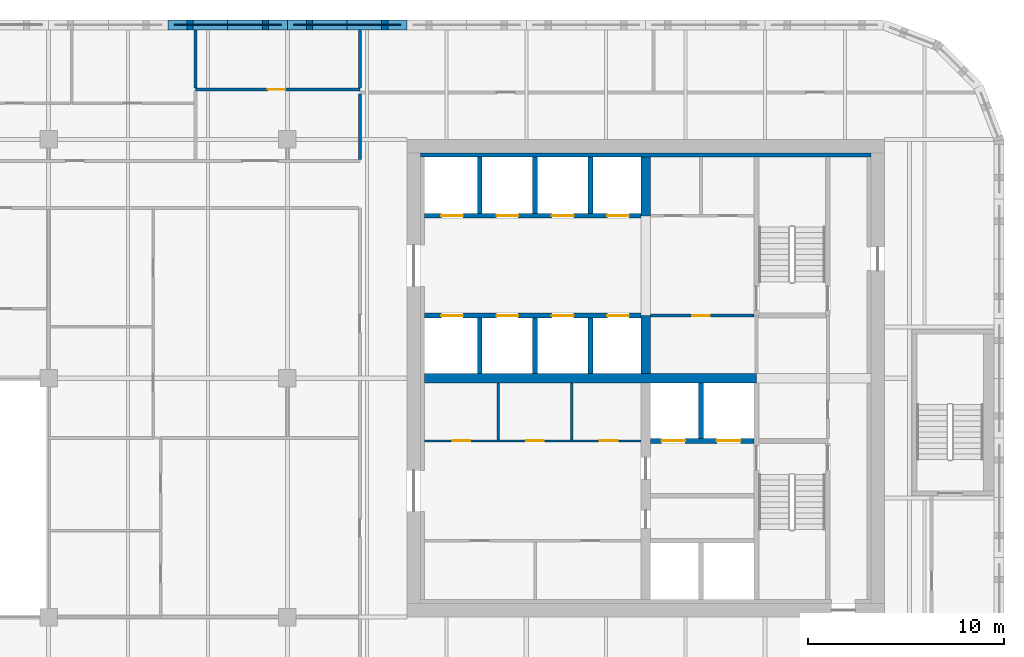
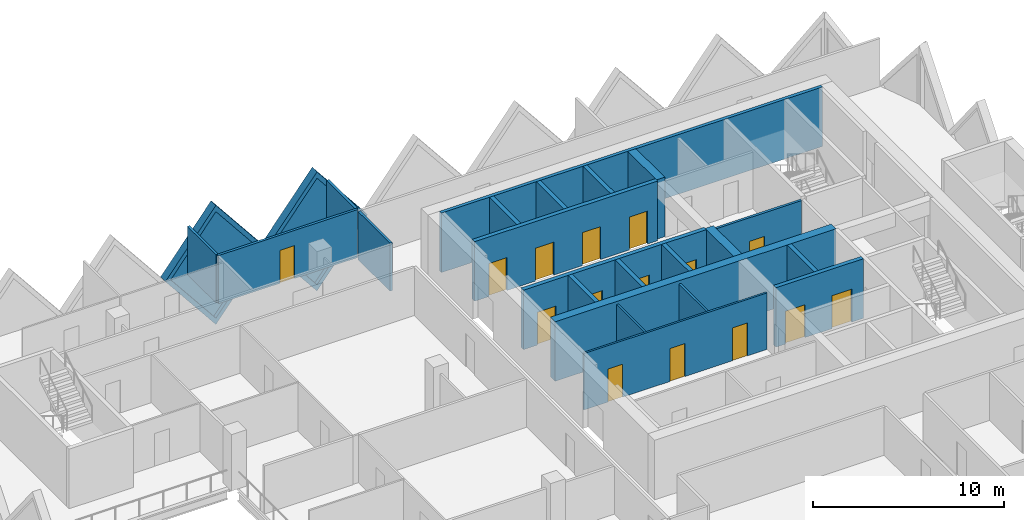
# One storey, part 8 of 12: 24 walls, 15 doors, 2 plates, 17 openings.
"""IFC4 building model written with IfcOpenShell, lengths in metres."""

from ifc_helpers import new_model, si_unit, direction, frame, frame_2d, origin, place, context, subcontext, project, spatial, polyline, rectangle, outline, extrude, faceted_brep, source, transform, mapped, material, layer, layer_set, type_object, element, fill, save


model = new_model("IFC4")

# Units and contexts
model_context = context("Model", 3, precision=1e-05, world=origin(), true_north=direction((0.0, 1.0)))
body_context = subcontext(model_context, "Body", "Model", "MODEL_VIEW")
ifc_project = project(units=[si_unit("LENGTHUNIT", "METRE"), si_unit("AREAUNIT", "SQUARE_METRE"), si_unit("VOLUMEUNIT", "CUBIC_METRE"), si_unit("PLANEANGLEUNIT", "RADIAN"), si_unit("MASSUNIT", "GRAM", prefix="KILO")], contexts=[model_context])

# Site, building, storey
site_placement = place(None, origin())
site = spatial("IfcSite", under=ifc_project, at=site_placement, CompositionType="ELEMENT")
building_placement = place(site_placement, origin())
building = spatial("IfcBuilding", under=site, at=building_placement, Name="Tessera Gate Towers", CompositionType="ELEMENT")
storey_placement = place(building_placement, frame((0.0, 0.0, 124.0)))
storey = spatial("IfcBuildingStorey", under=building, at=storey_placement, Name="L30", CompositionType="ELEMENT", Elevation=124.0)

# Wall, openings, doors
ifc_material_1 = material(Name="Concrete C40/50", Category="concrete")
ifc_layer_1 = layer(ifc_material_1, 0.25)
ifc_layer_set_1 = layer_set([ifc_layer_1], Name="CORE ENCLOSURE WALL 250")
wall_type_1 = type_object("IfcWallType", Name="CORE ENCLOSURE WALL 250", PredefinedType="SOLIDWALL", material=ifc_layer_set_1)
wall_1_placement = place(storey_placement, frame((31.39990234375, 39.800048828125, 0.0), z_axis=(0.0, 0.0, 1.0), x_axis=(1.0, 0.0, 0.0)))
wall_1 = element("IfcWall", 1, at=wall_1_placement, inside=storey, type_object=wall_type_1, Name="L30 shaft and stair enclosure wall", PredefinedType="SOLIDWALL", context=body_context, shape_type="SweptSolid", body=[
    extrude(rectangle(XDim=11.050048828125, YDim=0.25, at=frame_2d((5.52490234375, 0.0))), origin(), (0.0, 0.0, 1.0), 3.800048828125),
])
shared_shape_1 = source(origin(), body_context, "Body", "SweptSolid", [
    extrude(rectangle(XDim=1.10009765625, YDim=2.10009765625, at=frame_2d((0.550048828125, 1.050048828125))), frame((0.0, 0.135009765625, 0.0), z_axis=(0.0, -1.0, 0.0), x_axis=(1.0, 0.0, 0.0)), (0.0, 0.0, 1.0), 0.27001953125),
])
opening_1_placement = place(wall_1_placement, frame((0.862548828125, 0.0, 0.0)))
opening_1 = element("IfcOpeningElement", 2, at=opening_1_placement, cuts=wall_1, Name="Opening LD-HR1", PredefinedType="OPENING", context=body_context, shape_type="MappedRepresentation", body=[
    mapped(shared_shape_1, transform((0.0, 0.0, 0.0), scale=1.0)),
])
opening_2_placement = place(wall_1_placement, frame((3.6875, 0.0, 0.0)))
opening_2 = element("IfcOpeningElement", 3, at=opening_2_placement, cuts=wall_1, Name="Opening LD-HR2", PredefinedType="OPENING", context=body_context, shape_type="MappedRepresentation", body=[
    mapped(shared_shape_1, transform((0.0, 0.0, 0.0), scale=1.0)),
])
opening_3_placement = place(wall_1_placement, frame((6.512451171875, 0.0, 0.0)))
opening_3 = element("IfcOpeningElement", 4, at=opening_3_placement, cuts=wall_1, Name="Opening LD-HR3", PredefinedType="OPENING", context=body_context, shape_type="MappedRepresentation", body=[
    mapped(shared_shape_1, transform((0.0, 0.0, 0.0), scale=1.0)),
])
opening_4_placement = place(wall_1_placement, frame((9.33740234375, 0.0, 0.0)))
opening_4 = element("IfcOpeningElement", 5, at=opening_4_placement, cuts=wall_1, Name="Opening LD-HR4", PredefinedType="OPENING", context=body_context, shape_type="MappedRepresentation", body=[
    mapped(shared_shape_1, transform((0.0, 0.0, 0.0), scale=1.0)),
])
ifc_material_2 = material(Name="Stainless steel", Category="steel")
door_type_1 = type_object("IfcDoorType", Name="CORE DOOR LD 1100x2100", OperationType="DOUBLE_DOOR_SLIDING", PredefinedType="DOOR", material=ifc_material_2)
shared_shape_2 = source(origin(), body_context, "Body", "SweptSolid", [
    extrude(rectangle(XDim=1.10009765625, YDim=2.10009765625, at=frame_2d((0.550048828125, 1.050048828125))), frame((0.0, 0.02490234375, 0.0), z_axis=(0.0, -1.0, 0.0), x_axis=(1.0, 0.0, 0.0)), (0.0, 0.0, 1.0), 0.050048828125),
])
door_1_placement = place(opening_1_placement, origin())
door_1 = element("IfcDoor", 6, at=door_1_placement, inside=storey, type_object=door_type_1, Name="Landing door HR1 L30", OperationType="DOUBLE_DOOR_SLIDING", OverallHeight=2.10009765625, OverallWidth=1.10009765625, PredefinedType="DOOR", context=body_context, shape_type="MappedRepresentation", body=[
    mapped(shared_shape_2, transform((0.0, 0.0, 0.0), scale=1.0)),
])
fill(opening_1, door_1)
door_2_placement = place(opening_2_placement, origin())
door_2 = element("IfcDoor", 7, at=door_2_placement, inside=storey, type_object=door_type_1, Name="Landing door HR2 L30", OperationType="DOUBLE_DOOR_SLIDING", OverallHeight=2.10009765625, OverallWidth=1.10009765625, PredefinedType="DOOR", context=body_context, shape_type="MappedRepresentation", body=[
    mapped(shared_shape_2, transform((0.0, 0.0, 0.0), scale=1.0)),
])
fill(opening_2, door_2)
door_3_placement = place(opening_3_placement, origin())
door_3 = element("IfcDoor", 8, at=door_3_placement, inside=storey, type_object=door_type_1, Name="Landing door HR3 L30", OperationType="DOUBLE_DOOR_SLIDING", OverallHeight=2.10009765625, OverallWidth=1.10009765625, PredefinedType="DOOR", context=body_context, shape_type="MappedRepresentation", body=[
    mapped(shared_shape_2, transform((0.0, 0.0, 0.0), scale=1.0)),
])
fill(opening_3, door_3)
door_4_placement = place(opening_4_placement, origin())
door_4 = element("IfcDoor", 9, at=door_4_placement, inside=storey, type_object=door_type_1, Name="Landing door HR4 L30", OperationType="DOUBLE_DOOR_SLIDING", OverallHeight=2.10009765625, OverallWidth=1.10009765625, PredefinedType="DOOR", context=body_context, shape_type="MappedRepresentation", body=[
    mapped(shared_shape_2, transform((0.0, 0.0, 0.0), scale=1.0)),
])
fill(opening_4, door_4)

wall_2_placement = place(storey_placement, frame((42.449951171875, 44.89990234375, 0.0), z_axis=(0.0, 0.0, 1.0), x_axis=(-1.0, 0.0, 0.0)))
wall_2 = element("IfcWall", 10, at=wall_2_placement, inside=storey, type_object=wall_type_1, Name="L30 shaft and stair enclosure wall", PredefinedType="SOLIDWALL", context=body_context, shape_type="SweptSolid", body=[
    extrude(rectangle(XDim=11.050048828125, YDim=0.25, at=frame_2d((5.52490234375, 0.0))), origin(), (0.0, 0.0, 1.0), 3.800048828125),
])
opening_5_placement = place(wall_2_placement, frame((9.08740234375, 0.0, 0.0)))
opening_5 = element("IfcOpeningElement", 11, at=opening_5_placement, cuts=wall_2, Name="Opening LD-HR5", PredefinedType="OPENING", context=body_context, shape_type="MappedRepresentation", body=[
    mapped(shared_shape_1, transform((0.0, 0.0, 0.0), scale=1.0)),
])
opening_6_placement = place(wall_2_placement, frame((6.262451171875, 0.0, 0.0)))
opening_6 = element("IfcOpeningElement", 12, at=opening_6_placement, cuts=wall_2, Name="Opening LD-HR6", PredefinedType="OPENING", context=body_context, shape_type="MappedRepresentation", body=[
    mapped(shared_shape_1, transform((0.0, 0.0, 0.0), scale=1.0)),
])
opening_7_placement = place(wall_2_placement, frame((3.4375, 0.0, 0.0)))
opening_7 = element("IfcOpeningElement", 13, at=opening_7_placement, cuts=wall_2, Name="Opening LD-HR7", PredefinedType="OPENING", context=body_context, shape_type="MappedRepresentation", body=[
    mapped(shared_shape_1, transform((0.0, 0.0, 0.0), scale=1.0)),
])
opening_8_placement = place(wall_2_placement, frame((0.612548828125, 0.0, 0.0)))
opening_8 = element("IfcOpeningElement", 14, at=opening_8_placement, cuts=wall_2, Name="Opening LD-HR8", PredefinedType="OPENING", context=body_context, shape_type="MappedRepresentation", body=[
    mapped(shared_shape_1, transform((0.0, 0.0, 0.0), scale=1.0)),
])
door_5_placement = place(opening_5_placement, origin())
door_5 = element("IfcDoor", 15, at=door_5_placement, inside=storey, type_object=door_type_1, Name="Landing door HR5 L30", OperationType="DOUBLE_DOOR_SLIDING", OverallHeight=2.10009765625, OverallWidth=1.10009765625, PredefinedType="DOOR", context=body_context, shape_type="MappedRepresentation", body=[
    mapped(shared_shape_2, transform((0.0, 0.0, 0.0), scale=1.0)),
])
fill(opening_5, door_5)
door_6_placement = place(opening_6_placement, origin())
door_6 = element("IfcDoor", 16, at=door_6_placement, inside=storey, type_object=door_type_1, Name="Landing door HR6 L30", OperationType="DOUBLE_DOOR_SLIDING", OverallHeight=2.10009765625, OverallWidth=1.10009765625, PredefinedType="DOOR", context=body_context, shape_type="MappedRepresentation", body=[
    mapped(shared_shape_2, transform((0.0, 0.0, 0.0), scale=1.0)),
])
fill(opening_6, door_6)
door_7_placement = place(opening_7_placement, origin())
door_7 = element("IfcDoor", 17, at=door_7_placement, inside=storey, type_object=door_type_1, Name="Landing door HR7 L30", OperationType="DOUBLE_DOOR_SLIDING", OverallHeight=2.10009765625, OverallWidth=1.10009765625, PredefinedType="DOOR", context=body_context, shape_type="MappedRepresentation", body=[
    mapped(shared_shape_2, transform((0.0, 0.0, 0.0), scale=1.0)),
])
fill(opening_7, door_7)
door_8_placement = place(opening_8_placement, origin())
door_8 = element("IfcDoor", 18, at=door_8_placement, inside=storey, type_object=door_type_1, Name="Landing door HR8 L30", OperationType="DOUBLE_DOOR_SLIDING", OverallHeight=2.10009765625, OverallWidth=1.10009765625, PredefinedType="DOOR", context=body_context, shape_type="MappedRepresentation", body=[
    mapped(shared_shape_2, transform((0.0, 0.0, 0.0), scale=1.0)),
])
fill(opening_8, door_8)

wall_3_placement = place(storey_placement, frame((48.22509765625, 33.39990234375, 0.0), z_axis=(0.0, 0.0, 1.0), x_axis=(-1.0, 0.0, 0.0)))
wall_3 = element("IfcWall", 19, at=wall_3_placement, inside=storey, type_object=wall_type_1, Name="L30 shaft and stair enclosure wall", PredefinedType="SOLIDWALL", context=body_context, shape_type="SweptSolid", body=[
    extrude(rectangle(XDim=5.275146484375, YDim=0.25, at=frame_2d((2.6376953125, 0.0))), origin(), (0.0, 0.0, 1.0), 3.800048828125),
])
shared_shape_3 = source(origin(), body_context, "Body", "SweptSolid", [
    extrude(rectangle(XDim=1.199951171875, YDim=2.10009765625, at=frame_2d((0.60009765625, 1.050048828125))), frame((0.0, 0.135009765625, 0.0), z_axis=(0.0, -1.0, 0.0), x_axis=(1.0, 0.0, 0.0)), (0.0, 0.0, 1.0), 0.27001953125),
])
opening_9_placement = place(wall_3_placement, frame((3.512451171875, 0.0, 0.0)))
opening_9 = element("IfcOpeningElement", 20, at=opening_9_placement, cuts=wall_3, Name="Opening LD-FF1", PredefinedType="OPENING", context=body_context, shape_type="MappedRepresentation", body=[
    mapped(shared_shape_3, transform((0.0, 0.0, 0.0), scale=1.0)),
])
opening_10_placement = place(wall_3_placement, frame((0.6875, 0.0, 0.0)))
opening_10 = element("IfcOpeningElement", 21, at=opening_10_placement, cuts=wall_3, Name="Opening LD-FF2", PredefinedType="OPENING", context=body_context, shape_type="MappedRepresentation", body=[
    mapped(shared_shape_3, transform((0.0, 0.0, 0.0), scale=1.0)),
])
ifc_material_3 = material(Name="Stainless steel", Category="steel")
door_type_2 = type_object("IfcDoorType", Name="CORE DOOR LD1200 1200x2100", OperationType="DOUBLE_DOOR_SLIDING", PredefinedType="DOOR", material=ifc_material_3)
shared_shape_4 = source(origin(), body_context, "Body", "SweptSolid", [
    extrude(rectangle(XDim=1.199951171875, YDim=2.10009765625, at=frame_2d((0.60009765625, 1.050048828125))), frame((0.0, 0.02490234375, 0.0), z_axis=(0.0, -1.0, 0.0), x_axis=(1.0, 0.0, 0.0)), (0.0, 0.0, 1.0), 0.050048828125),
])
door_9_placement = place(opening_9_placement, origin())
door_9 = element("IfcDoor", 22, at=door_9_placement, inside=storey, type_object=door_type_2, Name="Landing door FF1 L30", OperationType="DOUBLE_DOOR_SLIDING", OverallHeight=2.10009765625, OverallWidth=1.199951171875, PredefinedType="DOOR", context=body_context, shape_type="MappedRepresentation", body=[
    mapped(shared_shape_4, transform((0.0, 0.0, 0.0), scale=1.0)),
])
fill(opening_9, door_9)
door_10_placement = place(opening_10_placement, origin())
door_10 = element("IfcDoor", 23, at=door_10_placement, inside=storey, type_object=door_type_2, Name="Landing door FF2 L30", OperationType="DOUBLE_DOOR_SLIDING", OverallHeight=2.10009765625, OverallWidth=1.199951171875, PredefinedType="DOOR", context=body_context, shape_type="MappedRepresentation", body=[
    mapped(shared_shape_4, transform((0.0, 0.0, 0.0), scale=1.0)),
])
fill(opening_10, door_10)

# Walls
for number, where, z_axis, x_axis, name in (
    (24, (34.22509765625, 36.85009765625, 0.0), (0.0, 0.0, 1.0), (0.0, 1.0, 0.0), "L30 shaft and stair enclosure wall"),
    (25, (37.050048828125, 36.85009765625, 0.0), (0.0, 0.0, 1.0), (0.0, 1.0, 0.0), "L30 shaft and stair enclosure wall"),
    (26, (39.875, 36.85009765625, 0.0), (0.0, 0.0, 1.0), (0.0, 1.0, 0.0), "L30 shaft and stair enclosure wall"),
):
    element("IfcWall", number, at=place(storey_placement, frame(where, z_axis=z_axis, x_axis=x_axis)), inside=storey, type_object=wall_type_1, Name=name, PredefinedType="SOLIDWALL", context=body_context, shape_type="SweptSolid", body=[
        extrude(rectangle(XDim=2.824951171875, YDim=0.25, at=frame_2d((1.41259765625, 0.0))), origin(), (0.0, 0.0, 1.0), 3.800048828125),
    ])
wall_4_placement = place(storey_placement, frame((45.52490234375, 33.52490234375, 0.0), z_axis=(0.0, 0.0, 1.0), x_axis=(0.0, 1.0, 0.0)))
element("IfcWall", 27, at=wall_4_placement, inside=storey, type_object=wall_type_1, Name="L30 shaft and stair enclosure wall", PredefinedType="SOLIDWALL", context=body_context, shape_type="SweptSolid", body=[
    extrude(rectangle(XDim=2.8251953125, YDim=0.25, at=frame_2d((1.41259765625, 0.0))), origin(), (0.0, 0.0, 1.0), 3.800048828125),
])
for number, where, z_axis, x_axis, name in (
    (28, (34.22509765625, 45.02490234375, 0.0), (0.0, 0.0, 1.0), (0.0, 1.0, 0.0), "L30 shaft and stair enclosure wall"),
    (29, (37.050048828125, 45.02490234375, 0.0), (0.0, 0.0, 1.0), (0.0, 1.0, 0.0), "L30 shaft and stair enclosure wall"),
    (30, (39.875, 45.02490234375, 0.0), (0.0, 0.0, 1.0), (0.0, 1.0, 0.0), "L30 shaft and stair enclosure wall"),
):
    element("IfcWall", number, at=place(storey_placement, frame(where, z_axis=z_axis, x_axis=x_axis)), inside=storey, type_object=wall_type_1, Name=name, PredefinedType="SOLIDWALL", context=body_context, shape_type="SweptSolid", body=[
        extrude(rectangle(XDim=2.875, YDim=0.25, at=frame_2d((1.4375, 0.0))), origin(), (0.0, 0.0, 1.0), 3.800048828125),
    ])

# Wall, openings, doors
ifc_material_4 = material(Name="Gypsum board on steel studs", Category="steel")
ifc_layer_2 = layer(ifc_material_4, 0.1201171875)
ifc_layer_set_2 = layer_set([ifc_layer_2], Name="CORE PARTITION 120")
wall_type_2 = type_object("IfcWallType", Name="CORE PARTITION 120", PredefinedType="PARTITIONING", material=ifc_layer_set_2)
wall_5_placement = place(storey_placement, frame((31.39990234375, 33.39990234375, 0.0), z_axis=(0.0, 0.0, 1.0), x_axis=(1.0, 0.0, 0.0)))
wall_5 = element("IfcWall", 31, at=wall_5_placement, inside=storey, type_object=wall_type_2, Name="L30 core partition", PredefinedType="PARTITIONING", context=body_context, shape_type="SweptSolid", body=[
    extrude(rectangle(XDim=11.050048828125, YDim=0.1201171875, at=frame_2d((5.52490234375, 0.0))), origin(), (0.0, 0.0, 1.0), 3.60009765625),
])
shared_shape_5 = source(origin(), body_context, "Body", "SweptSolid", [
    extrude(rectangle(XDim=0.89990234375, YDim=2.10009765625, at=frame_2d((0.449951171875, 1.050048828125))), frame((0.0, 0.070068359375, 0.0), z_axis=(0.0, -1.0, 0.0), x_axis=(1.0, 0.0, 0.0)), (0.0, 0.0, 1.0), 0.14013671875),
])
opening_11_placement = place(wall_5_placement, frame((1.4375, 0.0, 0.0)))
opening_11 = element("IfcOpeningElement", 32, at=opening_11_placement, cuts=wall_5, Name="Opening RD-T1-21-09", PredefinedType="OPENING", context=body_context, shape_type="MappedRepresentation", body=[
    mapped(shared_shape_5, transform((0.0, 0.0, 0.0), scale=1.0)),
])
opening_12_placement = place(wall_5_placement, frame((5.199951171875, 0.0, 0.0)))
opening_12 = element("IfcOpeningElement", 33, at=opening_12_placement, cuts=wall_5, Name="Opening RD-T1-21-10", PredefinedType="OPENING", context=body_context, shape_type="MappedRepresentation", body=[
    mapped(shared_shape_5, transform((0.0, 0.0, 0.0), scale=1.0)),
])
opening_13_placement = place(wall_5_placement, frame((8.96240234375, 0.0, 0.0)))
opening_13 = element("IfcOpeningElement", 34, at=opening_13_placement, cuts=wall_5, Name="Opening RD-T1-21-11", PredefinedType="OPENING", context=body_context, shape_type="MappedRepresentation", body=[
    mapped(shared_shape_5, transform((0.0, 0.0, 0.0), scale=1.0)),
])
ifc_material_5 = material(Name="Hollow steel fire door", Category="steel")
door_type_3 = type_object("IfcDoorType", Name="CORE DOOR RD 900x2100", OperationType="NOTDEFINED", PredefinedType="DOOR", material=ifc_material_5)
shared_shape_6 = source(origin(), body_context, "Body", "SweptSolid", [
    extrude(rectangle(XDim=0.89990234375, YDim=2.10009765625, at=frame_2d((0.449951171875, 1.050048828125))), frame((0.0, 0.02490234375, 0.0), z_axis=(0.0, -1.0, 0.0), x_axis=(1.0, 0.0, 0.0)), (0.0, 0.0, 1.0), 0.050048828125),
])
door_11_placement = place(opening_11_placement, origin())
door_11 = element("IfcDoor", 35, at=door_11_placement, inside=storey, type_object=door_type_3, Name="Core room door", OperationType="SINGLE_SWING_LEFT", OverallHeight=2.10009765625, OverallWidth=0.89990234375, PredefinedType="DOOR", context=body_context, shape_type="MappedRepresentation", body=[
    mapped(shared_shape_6, transform((0.0, 0.0, 0.0), scale=1.0)),
])
fill(opening_11, door_11)
door_12_placement = place(opening_12_placement, origin())
door_12 = element("IfcDoor", 36, at=door_12_placement, inside=storey, type_object=door_type_3, Name="Core room door", OperationType="SINGLE_SWING_RIGHT", OverallHeight=2.10009765625, OverallWidth=0.89990234375, PredefinedType="DOOR", context=body_context, shape_type="MappedRepresentation", body=[
    mapped(shared_shape_6, transform((0.0, 0.0, 0.0), scale=1.0)),
])
fill(opening_12, door_12)
door_13_placement = place(opening_13_placement, origin())
door_13 = element("IfcDoor", 37, at=door_13_placement, inside=storey, type_object=door_type_3, Name="Core room door", OperationType="SINGLE_SWING_RIGHT", OverallHeight=2.10009765625, OverallWidth=0.89990234375, PredefinedType="DOOR", context=body_context, shape_type="MappedRepresentation", body=[
    mapped(shared_shape_6, transform((0.0, 0.0, 0.0), scale=1.0)),
])
fill(opening_13, door_13)

# Walls
for number, where, z_axis, x_axis, name in (
    (38, (35.175048828125, 33.4599609375, 0.0), (0.0, 0.0, 1.0), (0.0, 1.0, 0.0), "L30 core partition"),
    (39, (38.925048828125, 33.4599609375, 0.0), (0.0, 0.0, 1.0), (0.0, 1.0, 0.0), "L30 core partition"),
):
    element("IfcWall", number, at=place(storey_placement, frame(where, z_axis=z_axis, x_axis=x_axis)), inside=storey, type_object=wall_type_2, Name=name, PredefinedType="PARTITIONING", context=body_context, shape_type="SweptSolid", body=[
        extrude(rectangle(XDim=2.89013671875, YDim=0.1201171875, at=frame_2d((1.445068359375, 0.0))), origin(), (0.0, 0.0, 1.0), 3.60009765625),
    ])
ifc_material_6 = material(Name="Concrete C60/75", Category="concrete")
ifc_layer_3 = layer(ifc_material_6, 0.5)
ifc_layer_set_3 = layer_set([ifc_layer_3], Name="CORE SPINE WALL 500 C60/75")
wall_type_3 = type_object("IfcWallType", Name="CORE SPINE WALL 500 C60/75", PredefinedType="SHEAR", material=ifc_layer_set_3)
wall_6_placement = place(storey_placement, frame((31.39990234375, 36.60009765625, 0.0), z_axis=(0.0, 0.0, 1.0), x_axis=(1.0, 0.0, 0.0)))
element("IfcWall", 40, at=wall_6_placement, inside=storey, type_object=wall_type_3, Name="Core wall spine L30", PredefinedType="SHEAR", context=body_context, shape_type="SweptSolid", body=[
    extrude(rectangle(XDim=16.9501953125, YDim=0.5, at=frame_2d((8.47509765625, 0.0))), origin(), (0.0, 0.0, 1.0), 3.800048828125),
])
wall_7_placement = place(storey_placement, frame((42.699951171875, 36.85009765625, 0.0), z_axis=(0.0, 0.0, 1.0), x_axis=(0.0, 1.0, 0.0)))
element("IfcWall", 41, at=wall_7_placement, inside=storey, type_object=wall_type_3, Name="Core wall spine L30", PredefinedType="SHEAR", context=body_context, shape_type="SweptSolid", body=[
    extrude(rectangle(XDim=2.949951171875, YDim=0.5, at=frame_2d((1.47509765625, 0.0))), origin(), (0.0, 0.0, 1.0), 3.800048828125),
])
wall_8_placement = place(storey_placement, frame((42.699951171875, 44.89990234375, 0.0), z_axis=(0.0, 0.0, 1.0), x_axis=(0.0, 1.0, 0.0)))
element("IfcWall", 42, at=wall_8_placement, inside=storey, type_object=wall_type_3, Name="Core wall spine L30", PredefinedType="SHEAR", context=body_context, shape_type="SweptSolid", body=[
    extrude(rectangle(XDim=3.0, YDim=0.5, at=frame_2d((1.5, 0.0))), origin(), (0.0, 0.0, 1.0), 3.800048828125),
])
ifc_material_7 = material(Name="Concrete C60/75", Category="concrete")
ifc_layer_4 = layer(ifc_material_7, 0.199951171875)
ifc_layer_set_4 = layer_set([ifc_layer_4], Name="CORE WALL THICKENING 200")
wall_type_4 = type_object("IfcWallType", Name="CORE WALL THICKENING 200", PredefinedType="SOLIDWALL", material=ifc_layer_set_4)
wall_9_placement = place(storey_placement, frame((31.199951171875, 48.0, 0.0), z_axis=(0.0, 0.0, 1.0), x_axis=(1.0, 0.0, 0.0)))
element("IfcWall", 43, at=wall_9_placement, inside=storey, type_object=wall_type_4, Name="Core wall thickening N L30", PredefinedType="SOLIDWALL", context=body_context, shape_type="SweptSolid", body=[
    extrude(rectangle(XDim=23.0, YDim=0.199951171875, at=frame_2d((11.5, 0.0))), origin(), (0.0, 0.0, 1.0), 3.800048828125),
])
ifc_material_8 = material(Name="Gypsum board on steel studs, mineral wool", Category="steel")
ifc_layer_5 = layer(ifc_material_8, 0.14990234375)
ifc_layer_set_5 = layer_set([ifc_layer_5], Name="CORRIDOR WALL 150")
wall_type_5 = type_object("IfcWallType", Name="CORRIDOR WALL 150", PredefinedType="PARTITIONING", material=ifc_layer_set_5)
wall_10_placement = place(storey_placement, frame((28.10009765625, 47.77587890625, 0.0), z_axis=(0.0, 0.0, 1.0), x_axis=(0.0, 1.0, 0.0)))
element("IfcWall", 44, at=wall_10_placement, inside=storey, type_object=wall_type_5, Name="T1-L30-PW-040", PredefinedType="PARTITIONING", context=body_context, shape_type="SweptSolid", body=[
    extrude(rectangle(XDim=3.34814453125, YDim=0.14990234375, at=frame_2d((1.674072265625, 0.0))), origin(), (0.0, 0.0, 1.0), 3.06689453125),
])

# Wall, opening, door
ifc_material_9 = material(Name="Gypsum board on steel studs", Category="steel")
ifc_layer_6 = layer(ifc_material_9, 0.14990234375)
ifc_layer_set_6 = layer_set([ifc_layer_6], Name="SERVICE ROOM WALL 150")
wall_type_6 = type_object("IfcWallType", Name="SERVICE ROOM WALL 150", PredefinedType="PARTITIONING", material=ifc_layer_set_6)
wall_11_placement = place(storey_placement, frame((48.22509765625, 39.800048828125, 0.0), z_axis=(0.0, 0.0, 1.0), x_axis=(-1.0, 0.0, 0.0)))
wall_11 = element("IfcWall", 45, at=wall_11_placement, inside=storey, type_object=wall_type_6, Name="L30 service room wall", PredefinedType="PARTITIONING", context=body_context, shape_type="SweptSolid", body=[
    extrude(rectangle(XDim=5.275146484375, YDim=0.14990234375, at=frame_2d((2.6376953125, 0.0))), origin(), (0.0, 0.0, 1.0), 3.60009765625),
])
shared_shape_7 = source(origin(), body_context, "Body", "SweptSolid", [
    extrude(rectangle(XDim=0.89990234375, YDim=2.10009765625, at=frame_2d((0.449951171875, 1.050048828125))), frame((0.0, 0.0849609375, 0.0), z_axis=(0.0, -1.0, 0.0), x_axis=(1.0, 0.0, 0.0)), (0.0, 0.0, 1.0), 0.169921875),
])
opening_14_placement = place(wall_11_placement, frame((2.25, 0.0, 0.0)))
opening_14 = element("IfcOpeningElement", 46, at=opening_14_placement, cuts=wall_11, Name="Opening RD-T1-21-13", PredefinedType="OPENING", context=body_context, shape_type="MappedRepresentation", body=[
    mapped(shared_shape_7, transform((0.0, 0.0, 0.0), scale=1.0)),
])
door_14_placement = place(opening_14_placement, origin())
door_14 = element("IfcDoor", 47, at=door_14_placement, inside=storey, type_object=door_type_3, Name="Core room door", OperationType="SINGLE_SWING_RIGHT", OverallHeight=2.10009765625, OverallWidth=0.89990234375, PredefinedType="DOOR", context=body_context, shape_type="MappedRepresentation", body=[
    mapped(shared_shape_6, transform((0.0, 0.0, 0.0), scale=1.0)),
])
fill(opening_14, door_14)

ifc_material_10 = material(Name="Gypsum board on steel studs, mineral wool", Category="steel")
ifc_layer_7 = layer(ifc_material_10, 0.14990234375)
ifc_layer_set_7 = layer_set([ifc_layer_7], Name="TENANCY WALL 150")
wall_type_7 = type_object("IfcWallType", Name="TENANCY WALL 150", PredefinedType="PARTITIONING", material=ifc_layer_set_7)
wall_12_placement = place(storey_placement, frame((19.699951171875, 51.35009765625, 0.0), z_axis=(0.0, 0.0, 1.0), x_axis=(1.0, 0.0, 0.0)))
wall_12 = element("IfcWall", 48, at=wall_12_placement, inside=storey, type_object=wall_type_7, Name="T1-L30-PW-048", PredefinedType="PARTITIONING", context=body_context, shape_type="SweptSolid", body=[
    extrude(rectangle(XDim=8.400146484375, YDim=0.14990234375, at=frame_2d((4.2001953125, 0.0))), origin(), (0.0, 0.0, 1.0), 3.06689453125),
])
opening_15_placement = place(wall_12_placement, frame((3.699951171875, 0.0, 0.0)))
opening_15 = element("IfcOpeningElement", 49, at=opening_15_placement, cuts=wall_12, Name="Opening D190-A11-05", PredefinedType="OPENING", context=body_context, shape_type="MappedRepresentation", body=[
    mapped(shared_shape_7, transform((0.0, 0.0, 0.0), scale=1.0)),
])
ifc_material_11 = material(Name="Timber door leaf in steel frame", Category="steel")
door_type_4 = type_object("IfcDoorType", Name="INTERNAL DOOR 900 NOT RATED", OperationType="NOTDEFINED", PredefinedType="DOOR", material=ifc_material_11)
door_15_placement = place(opening_15_placement, origin())
door_15 = element("IfcDoor", 50, at=door_15_placement, inside=storey, type_object=door_type_4, Name="T1-L30-PD-016", OperationType="SINGLE_SWING_LEFT", OverallHeight=2.10009765625, OverallWidth=0.89990234375, PredefinedType="DOOR", context=body_context, shape_type="MappedRepresentation", body=[
    mapped(shared_shape_6, transform((0.0, 0.0, 0.0), scale=1.0)),
])
fill(opening_15, door_15)

# Walls
for number, where, z_axis, x_axis, name in (
    (51, (19.699951171875, 51.426025390625, 0.0), (0.0, 0.0, 1.0), (0.0, 1.0, 0.0), "T1-L30-PW-049"),
    (52, (28.10009765625, 51.426025390625, 0.0), (0.0, 0.0, 1.0), (0.0, 1.0, 0.0), "T1-L30-PW-050"),
):
    element("IfcWall", number, at=place(storey_placement, frame(where, z_axis=z_axis, x_axis=x_axis)), inside=storey, type_object=wall_type_7, Name=name, PredefinedType="PARTITIONING", context=body_context, shape_type="SweptSolid", body=[
        extrude(rectangle(XDim=2.973876953125, YDim=0.14990234375, at=frame_2d((1.48681640625, 0.0))), origin(), (0.0, 0.0, 1.0), 3.06689453125),
    ])

# Wall, opening, plate
ifc_material_12 = material(Name="Precast concrete C60/75 white", Category="concrete")
ifc_layer_8 = layer(ifc_material_12, 0.5)
ifc_layer_set_8 = layer_set([ifc_layer_8], Name="TS1 tessera")
wall_type_8 = type_object("IfcWallType", Name="TS1 tessera", PredefinedType="SOLIDWALL", material=ifc_layer_set_8)
shared_shape_8 = source(origin(), body_context, "Body", "Brep", [
    faceted_brep([(3.050048828125, -0.25, 0.0), (6.099853515625, -0.25, 3.7998046875), (6.099853515625, -0.25, 3.80029296875), (3.050048828125, -0.25, 7.60009765625), (0.0, -0.25, 3.800048828125), (0.0, 0.25, 3.800048828125), (3.050048828125, 0.25, 7.60009765625), (6.099853515625, 0.25, 3.80029296875), (6.099853515625, 0.25, 3.7998046875), (3.050048828125, 0.25, 0.0)], [[[0, 1, 2, 3, 4]], [[5, 6, 7, 8, 9]], [[9, 8, 1, 0]], [[7, 6, 3, 2]], [[6, 5, 4, 3]], [[5, 9, 0, 4]], [[1, 8, 7, 2]]]),
])
wall_13_placement = place(storey_placement, frame((24.39990234375, 54.64990234375, -3.800048828125), z_axis=(0.0, 0.0, 1.0), x_axis=(-1.0, 0.0, 0.0)))
wall_13 = element("IfcWall", 53, at=wall_13_placement, inside=storey, type_object=wall_type_8, Name="Precast tessera T1 TS1-0498", PredefinedType="SOLIDWALL", context=body_context, shape_type="MappedRepresentation", body=[
    mapped(shared_shape_8, transform((0.0, 0.0, 0.0), scale=1.0)),
])
shared_shape_9 = source(origin(), body_context, "Body", "SweptSolid", [
    extrude(outline(polyline([(3.050048828125, 0.3994140625), (5.779541015625, 3.800048828125), (3.050048828125, 7.20068359375), (0.320556640625, 3.800048828125), (3.050048828125, 0.3994140625)])), frame((0.0, 0.260009765625, 0.0), z_axis=(0.0, -1.0, 0.0), x_axis=(1.0, 0.0, 0.0)), (0.0, 0.0, 1.0), 0.52001953125),
])
opening_16_placement = place(wall_13_placement, origin())
opening_16 = element("IfcOpeningElement", 54, at=opening_16_placement, cuts=wall_13, Name="Opening T1-PL2-1010", PredefinedType="OPENING", context=body_context, shape_type="MappedRepresentation", body=[
    mapped(shared_shape_9, transform((0.0, 0.0, 0.0), scale=1.0)),
])
ifc_material_13 = material(Name="Low-e laminated glass", Category="glass")
ifc_layer_9 = layer(ifc_material_13, 0.06005859375)
ifc_layer_set_9 = layer_set([ifc_layer_9], Name="PL2 rhombic pane")
plate_type = type_object("IfcPlateType", Name="PL2 rhombic pane", PredefinedType="SHEET", material=ifc_layer_set_9)
shared_shape_10 = source(origin(), body_context, "Body", "SweptSolid", [
    extrude(outline(polyline([(3.050048828125, 0.3994140625), (5.779541015625, 3.800048828125), (3.050048828125, 7.20068359375), (0.320556640625, 3.800048828125), (3.050048828125, 0.3994140625)])), frame((0.0, 0.030029296875, 0.0), z_axis=(0.0, -1.0, 0.0), x_axis=(1.0, 0.0, 0.0)), (0.0, 0.0, 1.0), 0.06005859375),
])
plate_1_placement = place(opening_16_placement, origin())
plate_1 = element("IfcPlate", 55, at=plate_1_placement, inside=storey, type_object=plate_type, Name="Glass pane T1 PL2-1010", PredefinedType="SHEET", context=body_context, shape_type="MappedRepresentation", body=[
    mapped(shared_shape_10, transform((0.0, 0.0, 0.0), scale=1.0)),
])
fill(opening_16, plate_1)

shared_shape_11 = source(origin(), body_context, "Body", "SweptSolid", [
    extrude(outline(polyline([(3.050048828125, 0.0), (6.10009765625, 3.800048828125), (3.050048828125, 7.60009765625), (0.0, 3.800048828125), (3.050048828125, 0.0)])), frame((0.0, 0.25, 0.0), z_axis=(0.0, -1.0, 0.0), x_axis=(1.0, 0.0, 0.0)), (0.0, 0.0, 1.0), 0.5),
])
wall_14_placement = place(storey_placement, frame((30.5, 54.64990234375, -3.800048828125), z_axis=(0.0, 0.0, 1.0), x_axis=(-1.0, 0.0, 0.0)))
wall_14 = element("IfcWall", 56, at=wall_14_placement, inside=storey, type_object=wall_type_8, Name="Precast tessera T1 TS1-0497", PredefinedType="SOLIDWALL", context=body_context, shape_type="MappedRepresentation", body=[
    mapped(shared_shape_11, transform((0.0, 0.0, 0.0), scale=1.0)),
])
opening_17_placement = place(wall_14_placement, origin())
opening_17 = element("IfcOpeningElement", 57, at=opening_17_placement, cuts=wall_14, Name="Opening T1-PL2-1009", PredefinedType="OPENING", context=body_context, shape_type="MappedRepresentation", body=[
    mapped(shared_shape_9, transform((0.0, 0.0, 0.0), scale=1.0)),
])
plate_2_placement = place(opening_17_placement, origin())
plate_2 = element("IfcPlate", 58, at=plate_2_placement, inside=storey, type_object=plate_type, Name="Glass pane T1 PL2-1009", PredefinedType="SHEET", context=body_context, shape_type="MappedRepresentation", body=[
    mapped(shared_shape_10, transform((0.0, 0.0, 0.0), scale=1.0)),
])
fill(opening_17, plate_2)

save(model, "model.ifc")
